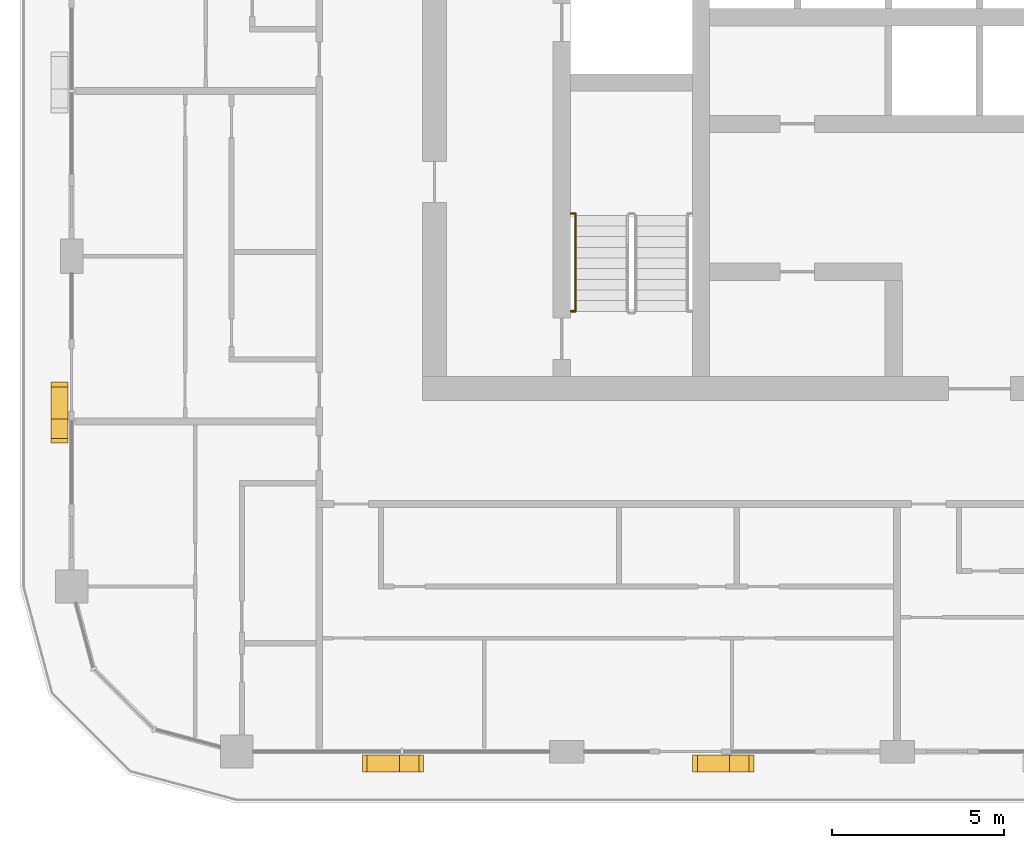
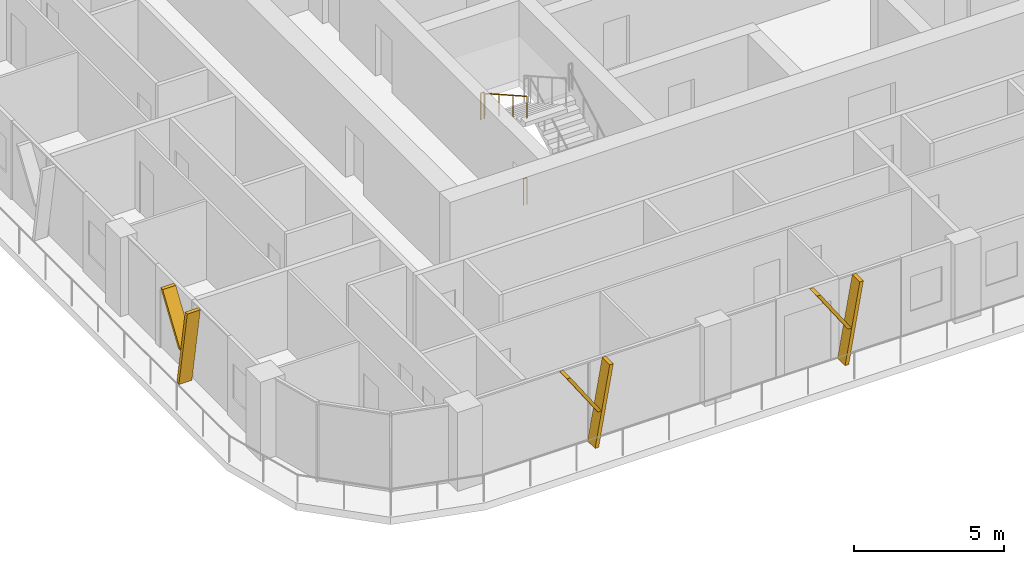
# One storey, part 16 of 22: 6 shading devices, 3 railings.
"""IFC4 building model written with IfcOpenShell, lengths in metres."""

from ifc_helpers import new_model, si_unit, direction, frame, origin, origin_2d, place, context, subcontext, project, spatial, polyline, circle, outline, extrude, material, type_object, element, save


model = new_model("IFC4")

# Units and contexts
model_context = context("Model", 3, precision=1e-05, world=origin(), true_north=direction((0.0, 1.0)))
body_context = subcontext(model_context, "Body", "Model", "MODEL_VIEW")
ifc_project = project(units=[si_unit("LENGTHUNIT", "METRE"), si_unit("AREAUNIT", "SQUARE_METRE"), si_unit("VOLUMEUNIT", "CUBIC_METRE"), si_unit("PLANEANGLEUNIT", "RADIAN"), si_unit("MASSUNIT", "GRAM", prefix="KILO")], contexts=[model_context])

# Site, building, storey
site_placement = place(None, origin())
site = spatial("IfcSite", under=ifc_project, at=site_placement, CompositionType="ELEMENT")
building_placement = place(site_placement, origin())
building = spatial("IfcBuilding", under=site, at=building_placement, Name="Madar Terraces", CompositionType="ELEMENT")
storey_placement = place(building_placement, frame((0.0, 0.0, 208.800048828125)))
storey = spatial("IfcBuildingStorey", under=building, at=storey_placement, Name="L54", CompositionType="ELEMENT", Elevation=208.800048828125)

# Shading devices
ifc_material_1 = material(Name="Aluminium, black anodised", Category="aluminium")
shading_device_type = type_object("IfcShadingDeviceType", Name="Facade fin blade 140 x 500", PredefinedType="USERDEFINED", material=ifc_material_1)
shading_device_1_placement = place(storey_placement, frame((14.330078125, 4.449951171875, 0.0), z_axis=(0.0, 0.0, 1.0), x_axis=(1.0, 0.0, 0.0)))
element("IfcShadingDevice", 1, at=shading_device_1_placement, inside=storey, type_object=shading_device_type, Name="FIN L54 S1", ObjectType="FIN", PredefinedType="USERDEFINED", context=body_context, shape_type="SweptSolid", body=[
    extrude(outline(polyline([(0.0, 0.0), (0.139892578125, 0.0), (0.704345703125, 3.199951171875), (0.564208984375, 3.199951171875), (0.0, 0.0)])), frame((0.0, 0.25, 0.0), z_axis=(0.0, -1.0, 0.0), x_axis=(1.0, 0.0, 0.0)), (0.0, 0.0, 1.0), 0.5),
])
shading_device_2_placement = place(storey_placement, frame((14.44384765625, 4.449951171875, 1.43994140625), z_axis=(0.0, 0.0, 1.0), x_axis=(1.0, 0.0, 0.0)))
element("IfcShadingDevice", 2, at=shading_device_2_placement, inside=storey, type_object=shading_device_type, Name="FIN L54 S1 branch", ObjectType="FIN", PredefinedType="USERDEFINED", context=body_context, shape_type="SweptSolid", body=[
    extrude(outline(polyline([(0.0, 0.0), (0.14013671875, 0.0), (-1.049560546875, 1.760009765625), (-1.189697265625, 1.760009765625), (0.0, 0.0)])), frame((0.0, 0.25, 0.0), z_axis=(0.0, -1.0, 0.0), x_axis=(1.0, 0.0, 0.0)), (0.0, 0.0, 1.0), 0.5),
])
shading_device_3_placement = place(storey_placement, frame((23.929931640625, 4.449951171875, 0.0), z_axis=(0.0, 0.0, 1.0), x_axis=(1.0, 0.0, 0.0)))
element("IfcShadingDevice", 3, at=shading_device_3_placement, inside=storey, type_object=shading_device_type, Name="FIN L54 S2", ObjectType="FIN", PredefinedType="USERDEFINED", context=body_context, shape_type="SweptSolid", body=[
    extrude(outline(polyline([(0.0, 0.0), (0.14013671875, 0.0), (0.704345703125, 3.199951171875), (0.564208984375, 3.199951171875), (0.0, 0.0)])), frame((0.0, 0.25, 0.0), z_axis=(0.0, -1.0, 0.0), x_axis=(1.0, 0.0, 0.0)), (0.0, 0.0, 1.0), 0.5),
])
shading_device_4_placement = place(storey_placement, frame((24.0439453125, 4.449951171875, 1.43994140625), z_axis=(0.0, 0.0, 1.0), x_axis=(1.0, 0.0, 0.0)))
element("IfcShadingDevice", 4, at=shading_device_4_placement, inside=storey, type_object=shading_device_type, Name="FIN L54 S2 branch", ObjectType="FIN", PredefinedType="USERDEFINED", context=body_context, shape_type="SweptSolid", body=[
    extrude(outline(polyline([(0.0, 0.0), (0.139892578125, 0.0), (-1.049560546875, 1.760009765625), (-1.189697265625, 1.760009765625), (0.0, 0.0)])), frame((0.0, 0.25, 0.0), z_axis=(0.0, -1.0, 0.0), x_axis=(1.0, 0.0, 0.0)), (0.0, 0.0, 1.0), 0.5),
])
shading_device_5_placement = place(storey_placement, frame((4.449951171875, 14.469970703125, 0.0), z_axis=(0.0, 0.0, 1.0), x_axis=(0.0, -1.0, 0.0)))
element("IfcShadingDevice", 5, at=shading_device_5_placement, inside=storey, type_object=shading_device_type, Name="FIN L54 W4", ObjectType="FIN", PredefinedType="USERDEFINED", context=body_context, shape_type="SweptSolid", body=[
    extrude(outline(polyline([(0.0, 0.0), (0.139892578125, 0.0), (0.704345703125, 3.199951171875), (0.564208984375, 3.199951171875), (0.0, 0.0)])), frame((0.0, 0.25, 0.0), z_axis=(0.0, -1.0, 0.0), x_axis=(1.0, 0.0, 0.0)), (0.0, 0.0, 1.0), 0.5),
])
shading_device_6_placement = place(storey_placement, frame((4.449951171875, 14.356201171875, 1.43994140625), z_axis=(0.0, 0.0, 1.0), x_axis=(0.0, -1.0, 0.0)))
element("IfcShadingDevice", 6, at=shading_device_6_placement, inside=storey, type_object=shading_device_type, Name="FIN L54 W4 branch", ObjectType="FIN", PredefinedType="USERDEFINED", context=body_context, shape_type="SweptSolid", body=[
    extrude(outline(polyline([(0.0, 0.0), (0.14013671875, 0.0), (-1.049560546875, 1.760009765625), (-1.189697265625, 1.760009765625), (0.0, 0.0)])), frame((0.0, 0.25, 0.0), z_axis=(0.0, -1.0, 0.0), x_axis=(1.0, 0.0, 0.0)), (0.0, 0.0, 1.0), 0.5),
])

# Railings
ifc_material_2 = material(Name="Stainless steel railing", Category="steel")
railing_type_1 = type_object("IfcRailingType", Name="Stair guard 1100", PredefinedType="GUARDRAIL", material=ifc_material_2)
for number, where, name in (
    (7, (19.320068359375, 20.43994140625, 1.75), "L54 stair guard seat 1"),
    (8, (19.320068359375, 17.60009765625, 0.0), "L54 stair guard floor 1"),
):
    element("IfcRailing", number, at=place(storey_placement, frame(where)), inside=storey, type_object=railing_type_1, Name=name, PredefinedType="GUARDRAIL", context=body_context, shape_type="SweptSolid", body=[
        extrude(circle(Radius=0.02392578125, at=origin_2d()), frame((0.0, 0.0, 1.076171875), z_axis=(1.0, 0.0, 0.0), x_axis=(0.0, 1.0, 0.0)), (0.0, 0.0, 1.0), 0.1298828125),
        extrude(circle(Radius=0.02099609375, at=origin_2d()), origin(), (0.0, 0.0, 1.0), 1.052001953125),
        extrude(circle(Radius=0.02099609375, at=origin_2d()), frame((0.1298828125, 0.0, 0.0)), (0.0, 0.0, 1.0), 1.052001953125),
    ])
ifc_material_3 = material(Name="Stainless steel railing", Category="steel")
railing_type_2 = type_object("IfcRailingType", Name="Stair handrail 900", PredefinedType="HANDRAIL", material=ifc_material_3)
railing_placement = place(storey_placement, frame((19.449951171875, 20.389892578125, 1.925048828125)))
element("IfcRailing", 9, at=railing_placement, inside=storey, type_object=railing_type_2, Name="L54 ST1 stair handrail 2", PredefinedType="HANDRAIL", context=body_context, shape_type="SweptSolid", body=[
    extrude(circle(Radius=0.02392578125, at=origin_2d()), frame((0.0, 0.0, 0.8759765625), z_axis=(0.0, -0.870815363784, 0.491610213684), x_axis=(1.0, 0.0, 0.0)), (0.0, 0.0, 1.0), 3.20361328125),
    extrude(circle(Radius=0.02099609375, at=origin_2d()), origin(), (0.0, 0.0, 1.0), 0.851806640625),
    extrude(circle(Radius=0.02099609375, at=origin_2d()), frame((0.0, -0.929931640625, 0.52490234375)), (0.0, 0.0, 1.0), 0.851806640625),
    extrude(circle(Radius=0.02099609375, at=origin_2d()), frame((0.0, -1.85986328125, 1.050048828125)), (0.0, 0.0, 1.0), 0.851806640625),
    extrude(circle(Radius=0.02099609375, at=origin_2d()), frame((0.0, -2.789794921875, 1.574951171875)), (0.0, 0.0, 1.0), 0.851806640625),
])

save(model, "model.ifc")
